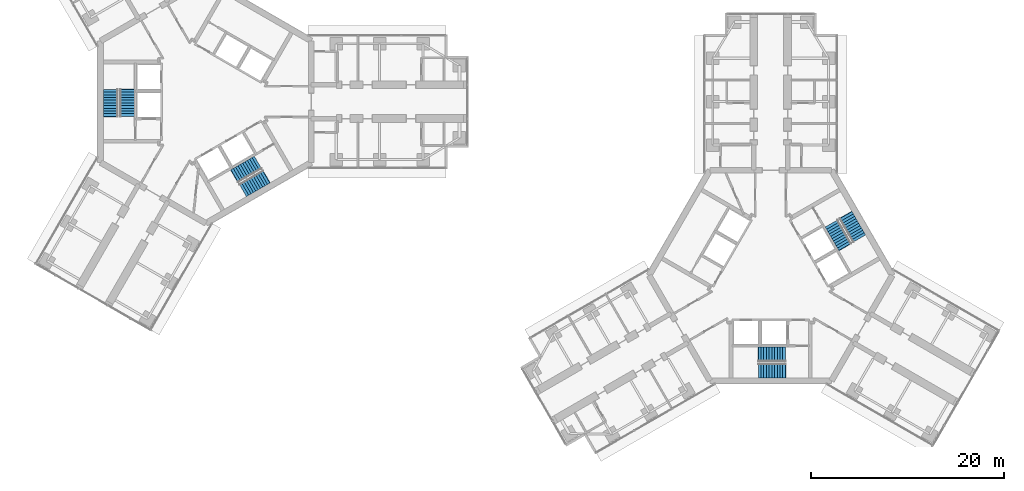
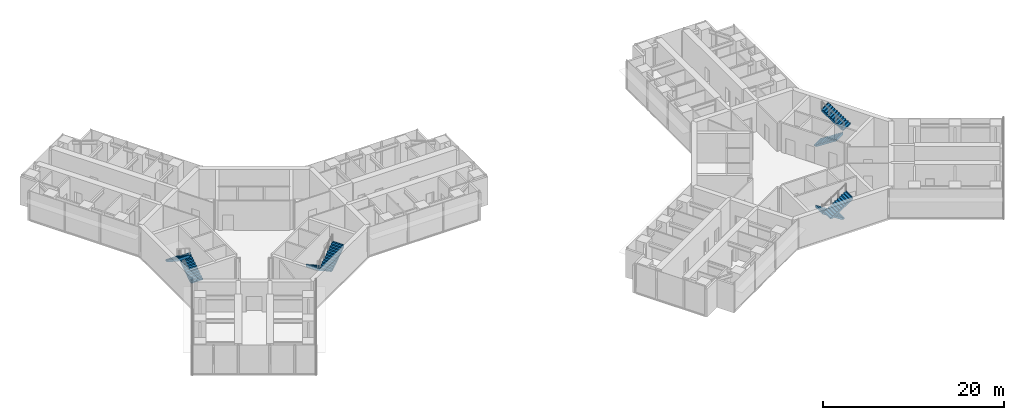
# One storey, part 21 of 22: 8 stair flights, 4 elements without a shape of their own.
"""IFC4 building model written with IfcOpenShell, lengths in metres."""

from ifc_helpers import new_model, si_unit, direction, frame, origin, place, context, subcontext, project, spatial, polyline, outline, extrude, material, type_object, element, aggregate, save


model = new_model("IFC4")

# Units and contexts
model_context = context("Model", 3, precision=1e-05, world=origin(), true_north=direction((0.0, 1.0)))
body_context = subcontext(model_context, "Body", "Model", "MODEL_VIEW")
ifc_project = project(units=[si_unit("LENGTHUNIT", "METRE"), si_unit("AREAUNIT", "SQUARE_METRE"), si_unit("VOLUMEUNIT", "CUBIC_METRE"), si_unit("PLANEANGLEUNIT", "RADIAN"), si_unit("MASSUNIT", "GRAM", prefix="KILO")], contexts=[model_context])

# Site, building, storey
site_placement = place(None, origin())
site = spatial("IfcSite", under=ifc_project, at=site_placement, CompositionType="ELEMENT")
building_placement = place(site_placement, origin())
building = spatial("IfcBuilding", under=site, at=building_placement, Name="Upepo Twin Towers", CompositionType="ELEMENT")
storey_placement = place(building_placement, frame((0.0, 0.0, 121.5)))
storey = spatial("IfcBuildingStorey", under=building, at=storey_placement, Name="L29", CompositionType="ELEMENT", Elevation=121.5)

# Stair, stair flights
ifc_material_1 = material(Name="Concrete C40/50", Category="concrete")
stair_type = type_object("IfcStairType", Name="Core stair, two flights", PredefinedType="HALF_TURN_STAIR", material=ifc_material_1)
stair_1_placement = place(storey_placement, origin())
stair_1 = element("IfcStair", 1, at=stair_1_placement, inside=storey, type_object=stair_type, Name="T1 stair S1 L29", PredefinedType="HALF_TURN_STAIR")
ifc_material_2 = material(Name="Concrete C40/50", Category="concrete")
stair_flight_type = type_object("IfcStairFlightType", Name="Stair flight 1500 RC", PredefinedType="STRAIGHT", material=ifc_material_2)
stair_flight_1_placement = place(storey_placement, frame((-8.14990234375, -1.52001953125, 0.0), z_axis=(0.0, 0.0, 1.0), x_axis=(0.0, 1.0, 0.0)))
stair_flight_1 = element("IfcStairFlight", 2, at=stair_flight_1_placement, type_object=stair_flight_type, Name="Stair S1 flight 1", NumberOfRisers=11, NumberOfTreads=10, PredefinedType="STRAIGHT", RiserHeight=0.181818182, TreadLength=0.28, context=body_context, shape_type="SweptSolid", body=[
    extrude(outline(polyline([(0.0, 0.0), (0.0, 0.181884765625), (0.280029296875, 0.181884765625), (0.280029296875, 0.363525390625), (0.56005859375, 0.363525390625), (0.56005859375, 0.54541015625), (0.840087890625, 0.54541015625), (0.840087890625, 0.727294921875), (1.1201171875, 0.727294921875), (1.1201171875, 0.9091796875), (1.39990234375, 0.9091796875), (1.39990234375, 1.0908203125), (1.679931640625, 1.0908203125), (1.679931640625, 1.272705078125), (1.9599609375, 1.272705078125), (1.9599609375, 1.45458984375), (2.239990234375, 1.45458984375), (2.239990234375, 1.636474609375), (2.52001953125, 1.636474609375), (2.52001953125, 1.818115234375), (2.800048828125, 1.818115234375), (2.800048828125, 2.0), (2.85009765625, 2.0), (2.85009765625, 1.639404296875), (0.3251953125, 0.0), (0.0, 0.0)])), frame((0.0, 0.75, 0.0), z_axis=(0.0, -1.0, 0.0), x_axis=(1.0, 0.0, 0.0)), (0.0, 0.0, 1.0), 1.5),
])
stair_flight_2_placement = place(storey_placement, frame((-9.8583984375, 1.280029296875, 2.0), z_axis=(0.0, 0.0, 1.0), x_axis=(0.0, -1.0, 0.0)))
stair_flight_2 = element("IfcStairFlight", 3, at=stair_flight_2_placement, type_object=stair_flight_type, Name="Stair S1 flight 2", NumberOfRisers=11, NumberOfTreads=10, PredefinedType="STRAIGHT", RiserHeight=0.181818182, TreadLength=0.28, context=body_context, shape_type="SweptSolid", body=[
    extrude(outline(polyline([(0.0, 0.0), (0.0, 0.181884765625), (0.280029296875, 0.181884765625), (0.280029296875, 0.363525390625), (0.56005859375, 0.363525390625), (0.56005859375, 0.54541015625), (0.840087890625, 0.54541015625), (0.840087890625, 0.727294921875), (1.1201171875, 0.727294921875), (1.1201171875, 0.9091796875), (1.39990234375, 0.9091796875), (1.39990234375, 1.0908203125), (1.679931640625, 1.0908203125), (1.679931640625, 1.272705078125), (1.9599609375, 1.272705078125), (1.9599609375, 1.45458984375), (2.239990234375, 1.45458984375), (2.239990234375, 1.636474609375), (2.52001953125, 1.636474609375), (2.52001953125, 1.818115234375), (2.800048828125, 1.818115234375), (2.800048828125, 2.0), (2.85009765625, 2.0), (2.85009765625, 1.639404296875), (0.3251953125, 0.0), (0.0, 0.0)])), frame((0.0, 0.75, 0.0), z_axis=(0.0, -1.0, 0.0), x_axis=(1.0, 0.0, 0.0)), (0.0, 0.0, 1.0), 1.5),
])
aggregate(stair_1, [stair_flight_1, stair_flight_2])

stair_2_placement = place(storey_placement, origin())
stair_2 = element("IfcStair", 4, at=stair_2_placement, inside=storey, type_object=stair_type, Name="T1 stair S2 L29", PredefinedType="HALF_TURN_STAIR")
stair_flight_3_placement = place(storey_placement, frame((5.391357421875, -6.298095703125, 0.0), z_axis=(0.0, 0.0, 1.0), x_axis=(-0.866025403784, -0.5, 0.0)))
stair_flight_3 = element("IfcStairFlight", 5, at=stair_flight_3_placement, type_object=stair_flight_type, Name="Stair S2 flight 1", NumberOfRisers=11, NumberOfTreads=10, PredefinedType="STRAIGHT", RiserHeight=0.181818182, TreadLength=0.28, context=body_context, shape_type="SweptSolid", body=[
    extrude(outline(polyline([(0.0, 0.0), (0.0, 0.181884765625), (0.280029296875, 0.181884765625), (0.280029296875, 0.363525390625), (0.56005859375, 0.363525390625), (0.56005859375, 0.54541015625), (0.840087890625, 0.54541015625), (0.840087890625, 0.727294921875), (1.1201171875, 0.727294921875), (1.1201171875, 0.9091796875), (1.39990234375, 0.9091796875), (1.39990234375, 1.0908203125), (1.679931640625, 1.0908203125), (1.679931640625, 1.272705078125), (1.9599609375, 1.272705078125), (1.9599609375, 1.45458984375), (2.239990234375, 1.45458984375), (2.239990234375, 1.636474609375), (2.52001953125, 1.636474609375), (2.52001953125, 1.818115234375), (2.800048828125, 1.818115234375), (2.800048828125, 2.0), (2.85009765625, 2.0), (2.85009765625, 1.639404296875), (0.3251953125, 0.0), (0.0, 0.0)])), frame((0.0, 0.75, 0.0), z_axis=(0.0, -1.0, 0.0), x_axis=(1.0, 0.0, 0.0)), (0.0, 0.0, 1.0), 1.5),
])
stair_flight_4_placement = place(storey_placement, frame((3.820556640625, -9.177490234375, 2.0), z_axis=(0.0, 0.0, 1.0), x_axis=(0.866025403784, 0.5, 0.0)))
stair_flight_4 = element("IfcStairFlight", 6, at=stair_flight_4_placement, type_object=stair_flight_type, Name="Stair S2 flight 2", NumberOfRisers=11, NumberOfTreads=10, PredefinedType="STRAIGHT", RiserHeight=0.181818182, TreadLength=0.28, context=body_context, shape_type="SweptSolid", body=[
    extrude(outline(polyline([(0.0, 0.0), (0.0, 0.181884765625), (0.280029296875, 0.181884765625), (0.280029296875, 0.363525390625), (0.56005859375, 0.363525390625), (0.56005859375, 0.54541015625), (0.840087890625, 0.54541015625), (0.840087890625, 0.727294921875), (1.1201171875, 0.727294921875), (1.1201171875, 0.9091796875), (1.39990234375, 0.9091796875), (1.39990234375, 1.0908203125), (1.679931640625, 1.0908203125), (1.679931640625, 1.272705078125), (1.9599609375, 1.272705078125), (1.9599609375, 1.45458984375), (2.239990234375, 1.45458984375), (2.239990234375, 1.636474609375), (2.52001953125, 1.636474609375), (2.52001953125, 1.818115234375), (2.800048828125, 1.818115234375), (2.800048828125, 2.0), (2.85009765625, 2.0), (2.85009765625, 1.639404296875), (0.3251953125, 0.0), (0.0, 0.0)])), frame((0.0, 0.75, 0.0), z_axis=(0.0, -1.0, 0.0), x_axis=(1.0, 0.0, 0.0)), (0.0, 0.0, 1.0), 1.5),
])
aggregate(stair_2, [stair_flight_3, stair_flight_4])

stair_3_placement = place(storey_placement, origin())
stair_3 = element("IfcStair", 7, at=stair_3_placement, inside=storey, type_object=stair_type, Name="T2 stair S1 L29", PredefinedType="HALF_TURN_STAIR")
stair_flight_5_placement = place(storey_placement, frame((60.02001953125, -26.14990234375, 0.0), z_axis=(0.0, 0.0, 1.0), x_axis=(-1.0, 0.0, 0.0)))
stair_flight_5 = element("IfcStairFlight", 8, at=stair_flight_5_placement, type_object=stair_flight_type, Name="Stair S1 flight 1", NumberOfRisers=11, NumberOfTreads=10, PredefinedType="STRAIGHT", RiserHeight=0.181818182, TreadLength=0.28, context=body_context, shape_type="SweptSolid", body=[
    extrude(outline(polyline([(0.0, 0.0), (0.0, 0.181884765625), (0.280029296875, 0.181884765625), (0.280029296875, 0.363525390625), (0.56005859375, 0.363525390625), (0.56005859375, 0.54541015625), (0.840087890625, 0.54541015625), (0.840087890625, 0.727294921875), (1.1201171875, 0.727294921875), (1.1201171875, 0.9091796875), (1.39990234375, 0.9091796875), (1.39990234375, 1.0908203125), (1.679931640625, 1.0908203125), (1.679931640625, 1.272705078125), (1.9599609375, 1.272705078125), (1.9599609375, 1.45458984375), (2.239990234375, 1.45458984375), (2.239990234375, 1.636474609375), (2.52001953125, 1.636474609375), (2.52001953125, 1.818115234375), (2.800048828125, 1.818115234375), (2.800048828125, 2.0), (2.85009765625, 2.0), (2.85009765625, 1.639404296875), (0.3251953125, 0.0), (0.0, 0.0)])), frame((0.0, 0.75, 0.0), z_axis=(0.0, -1.0, 0.0), x_axis=(1.0, 0.0, 0.0)), (0.0, 0.0, 1.0), 1.5),
])
stair_flight_6_placement = place(storey_placement, frame((57.219970703125, -27.8583984375, 2.0), z_axis=(0.0, 0.0, 1.0), x_axis=(1.0, 0.0, 0.0)))
stair_flight_6 = element("IfcStairFlight", 9, at=stair_flight_6_placement, type_object=stair_flight_type, Name="Stair S1 flight 2", NumberOfRisers=11, NumberOfTreads=10, PredefinedType="STRAIGHT", RiserHeight=0.181818182, TreadLength=0.28, context=body_context, shape_type="SweptSolid", body=[
    extrude(outline(polyline([(0.0, 0.0), (0.0, 0.181884765625), (0.280029296875, 0.181884765625), (0.280029296875, 0.363525390625), (0.56005859375, 0.363525390625), (0.56005859375, 0.54541015625), (0.840087890625, 0.54541015625), (0.840087890625, 0.727294921875), (1.1201171875, 0.727294921875), (1.1201171875, 0.9091796875), (1.39990234375, 0.9091796875), (1.39990234375, 1.0908203125), (1.679931640625, 1.0908203125), (1.679931640625, 1.272705078125), (1.9599609375, 1.272705078125), (1.9599609375, 1.45458984375), (2.239990234375, 1.45458984375), (2.239990234375, 1.636474609375), (2.52001953125, 1.636474609375), (2.52001953125, 1.818115234375), (2.800048828125, 1.818115234375), (2.800048828125, 2.0), (2.85009765625, 2.0), (2.85009765625, 1.639404296875), (0.3251953125, 0.0), (0.0, 0.0)])), frame((0.0, 0.75, 0.0), z_axis=(0.0, -1.0, 0.0), x_axis=(1.0, 0.0, 0.0)), (0.0, 0.0, 1.0), 1.5),
])
aggregate(stair_3, [stair_flight_5, stair_flight_6])

stair_4_placement = place(storey_placement, origin())
stair_4 = element("IfcStair", 10, at=stair_4_placement, inside=storey, type_object=stair_type, Name="T2 stair S2 L29", PredefinedType="HALF_TURN_STAIR")
stair_flight_7_placement = place(storey_placement, frame((64.798095703125, -12.608642578125, 0.0), z_axis=(0.0, 0.0, 1.0), x_axis=(0.5, -0.866025403784, 0.0)))
stair_flight_7 = element("IfcStairFlight", 11, at=stair_flight_7_placement, type_object=stair_flight_type, Name="Stair S2 flight 1", NumberOfRisers=11, NumberOfTreads=10, PredefinedType="STRAIGHT", RiserHeight=0.181818182, TreadLength=0.28, context=body_context, shape_type="SweptSolid", body=[
    extrude(outline(polyline([(0.0, 0.0), (0.0, 0.181884765625), (0.280029296875, 0.181884765625), (0.280029296875, 0.363525390625), (0.56005859375, 0.363525390625), (0.56005859375, 0.54541015625), (0.840087890625, 0.54541015625), (0.840087890625, 0.727294921875), (1.1201171875, 0.727294921875), (1.1201171875, 0.9091796875), (1.39990234375, 0.9091796875), (1.39990234375, 1.0908203125), (1.679931640625, 1.0908203125), (1.679931640625, 1.272705078125), (1.9599609375, 1.272705078125), (1.9599609375, 1.45458984375), (2.239990234375, 1.45458984375), (2.239990234375, 1.636474609375), (2.52001953125, 1.636474609375), (2.52001953125, 1.818115234375), (2.800048828125, 1.818115234375), (2.800048828125, 2.0), (2.85009765625, 2.0), (2.85009765625, 1.639404296875), (0.3251953125, 0.0), (0.0, 0.0)])), frame((0.0, 0.75, 0.0), z_axis=(0.0, -1.0, 0.0), x_axis=(1.0, 0.0, 0.0)), (0.0, 0.0, 1.0), 1.5),
])
stair_flight_8_placement = place(storey_placement, frame((67.677490234375, -14.179443359375, 2.0), z_axis=(0.0, 0.0, 1.0), x_axis=(-0.5, 0.866025403784, 0.0)))
stair_flight_8 = element("IfcStairFlight", 12, at=stair_flight_8_placement, type_object=stair_flight_type, Name="Stair S2 flight 2", NumberOfRisers=11, NumberOfTreads=10, PredefinedType="STRAIGHT", RiserHeight=0.181818182, TreadLength=0.28, context=body_context, shape_type="SweptSolid", body=[
    extrude(outline(polyline([(0.0, 0.0), (0.0, 0.181884765625), (0.280029296875, 0.181884765625), (0.280029296875, 0.363525390625), (0.56005859375, 0.363525390625), (0.56005859375, 0.54541015625), (0.840087890625, 0.54541015625), (0.840087890625, 0.727294921875), (1.1201171875, 0.727294921875), (1.1201171875, 0.9091796875), (1.39990234375, 0.9091796875), (1.39990234375, 1.0908203125), (1.679931640625, 1.0908203125), (1.679931640625, 1.272705078125), (1.9599609375, 1.272705078125), (1.9599609375, 1.45458984375), (2.239990234375, 1.45458984375), (2.239990234375, 1.636474609375), (2.52001953125, 1.636474609375), (2.52001953125, 1.818115234375), (2.800048828125, 1.818115234375), (2.800048828125, 2.0), (2.85009765625, 2.0), (2.85009765625, 1.639404296875), (0.3251953125, 0.0), (0.0, 0.0)])), frame((0.0, 0.75, 0.0), z_axis=(0.0, -1.0, 0.0), x_axis=(1.0, 0.0, 0.0)), (0.0, 0.0, 1.0), 1.5),
])
aggregate(stair_4, [stair_flight_7, stair_flight_8])

save(model, "model.ifc")
